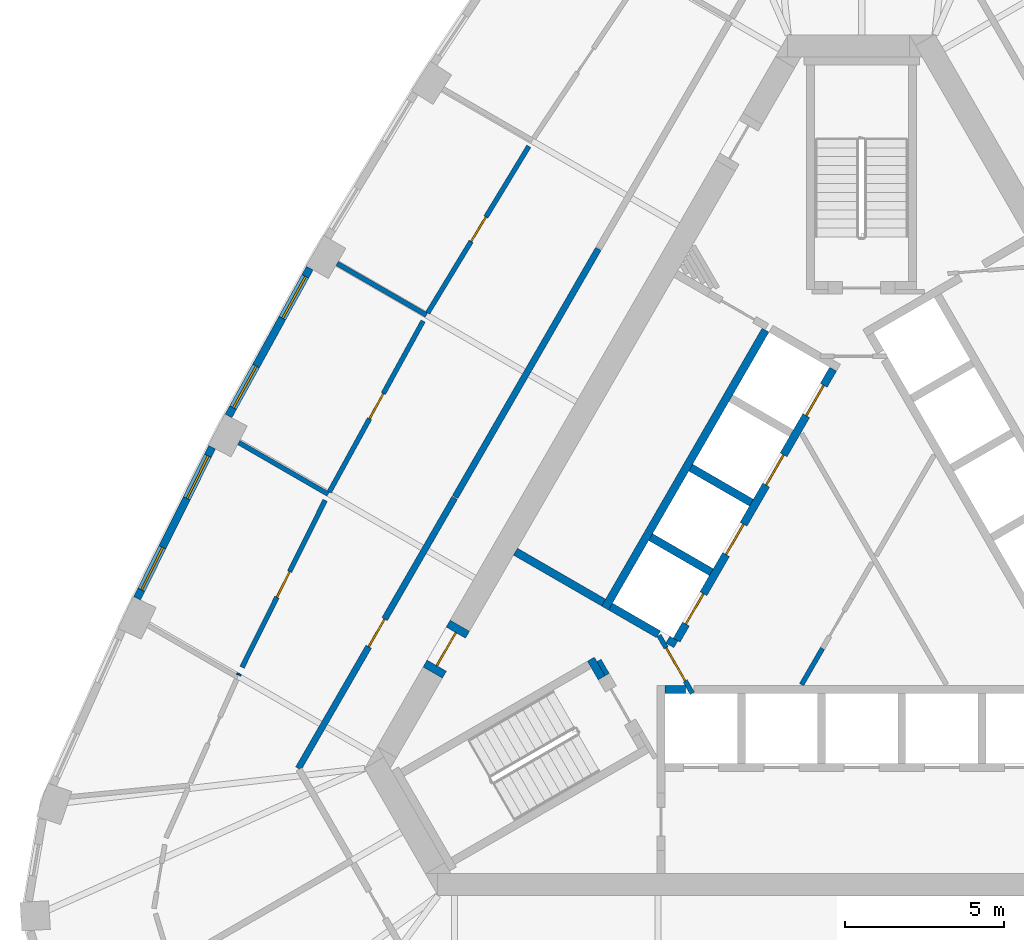
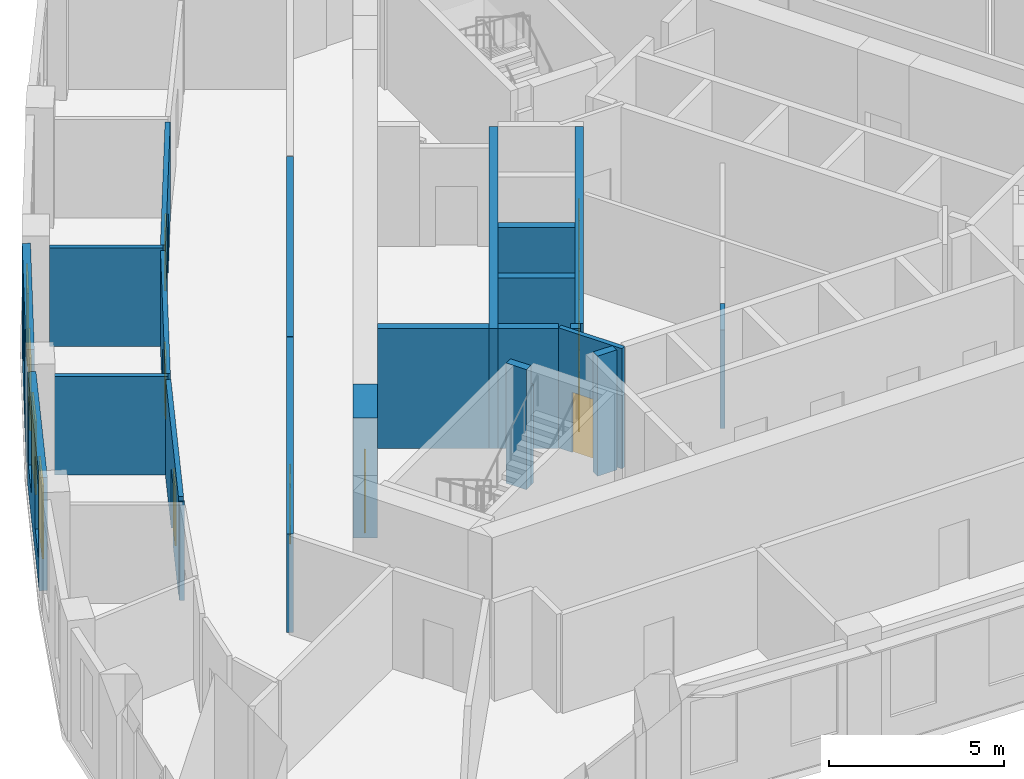
# One storey, part 4 of 11: 23 walls, 10 doors, 4 windows, 14 openings.
"""IFC4 building model written with IfcOpenShell, lengths in metres."""

from ifc_helpers import new_model, si_unit, direction, frame, frame_2d, origin, place, context, subcontext, project, spatial, rectangle, extrude, material, layer, layer_set, type_object, element, fill, save


model = new_model("IFC4")

# Units and contexts
model_context = context("Model", 3, precision=1e-05, world=origin(), true_north=direction((0.0, 1.0)))
body_context = subcontext(model_context, "Body", "Model", "MODEL_VIEW")
ifc_project = project(units=[si_unit("LENGTHUNIT", "METRE"), si_unit("AREAUNIT", "SQUARE_METRE"), si_unit("VOLUMEUNIT", "CUBIC_METRE"), si_unit("PLANEANGLEUNIT", "RADIAN"), si_unit("MASSUNIT", "GRAM", prefix="KILO")], contexts=[model_context])

# Site, building, storey
site_placement = place(None, origin())
site = spatial("IfcSite", under=ifc_project, at=site_placement, CompositionType="ELEMENT")
building_placement = place(site_placement, origin())
building = spatial("IfcBuilding", under=site, at=building_placement, Name="Mestral Congress Tower", CompositionType="ELEMENT")
storey_placement = place(building_placement, frame((0.0, 0.0, 201.60009765625)))
storey = spatial("IfcBuildingStorey", under=building, at=storey_placement, Name="L47", CompositionType="ELEMENT", Elevation=201.60009765625)

# Walls
ifc_material_1 = material(Name="Fire-rated board partition")
ifc_layer_1 = layer(ifc_material_1, 0.14990234375)
ifc_layer_set_1 = layer_set([ifc_layer_1], Name="Fire-rated board partition")
wall_type_1 = type_object("IfcWallType", Name="Core partition 150", PredefinedType="PARTITIONING", material=ifc_layer_set_1)
wall_1_placement = place(storey_placement, frame((-8.251953125, -2.958251953125, 0.0), z_axis=(0.0, 0.0, 1.0), x_axis=(0.500174715838, -0.865924508047, 0.0)))
element("IfcWall", 1, at=wall_1_placement, inside=storey, type_object=wall_type_1, Name="L47 core wall", PredefinedType="PARTITIONING", context=body_context, shape_type="SweptSolid", body=[
    extrude(rectangle(XDim=0.513916015625, YDim=0.14990234375, at=frame_2d((0.2568359375, 0.0))), origin(), (0.0, 0.0, 1.0), 3.449951171875),
])
wall_2_placement = place(storey_placement, frame((-1.886962890625, -3.71826171875, 0.0), z_axis=(0.0, 0.0, 1.0), x_axis=(0.500033191285, 0.866006239939, 0.0)))
element("IfcWall", 2, at=wall_2_placement, inside=storey, type_object=wall_type_1, Name="L47 core wall", PredefinedType="PARTITIONING", context=body_context, shape_type="SweptSolid", body=[
    extrude(rectangle(XDim=1.31494140625, YDim=0.14990234375, at=frame_2d((0.657470703125, 0.0))), origin(), (0.0, 0.0, 1.0), 3.449951171875),
])

# Wall, opening, door
ifc_material_2 = material(Name="Concrete C60/75", Category="concrete")
ifc_layer_2 = layer(ifc_material_2, 0.699951171875)
ifc_layer_set_2 = layer_set([ifc_layer_2], Name="Concrete C60/75")
wall_type_2 = type_object("IfcWallType", Name="Core wall RC 700", PredefinedType="SOLIDWALL", material=ifc_layer_set_2)
wall_3_placement = place(storey_placement, frame((-13.474853515625, -3.339111328125, 0.0), z_axis=(0.0, 0.0, 1.0), x_axis=(0.499954529098, 0.86605165483, 0.0)))
wall_3 = element("IfcWall", 3, at=wall_3_placement, inside=storey, type_object=wall_type_2, Name="L47 door wall", PredefinedType="SOLIDWALL", context=body_context, shape_type="SweptSolid", body=[
    extrude(rectangle(XDim=1.699951171875, YDim=0.699951171875, at=frame_2d((0.85009765625, 0.0))), origin(), (0.0, 0.0, 1.0), 4.199951171875),
])
opening_1_placement = place(wall_3_placement, frame((0.25, 0.0, 0.0)))
opening_1 = element("IfcOpeningElement", 4, at=opening_1_placement, cuts=wall_3, Name="Opening XD3", PredefinedType="OPENING", context=body_context, shape_type="SweptSolid", body=[
    extrude(rectangle(XDim=1.199951171875, YDim=2.10009765625, at=frame_2d((0.60009765625, 1.050048828125))), frame((0.0, 0.35986328125, 0.0), z_axis=(0.0, -1.0, 0.0), x_axis=(1.0, 0.0, 0.0)), (0.0, 0.0, 1.0), 0.719970703125),
])
ifc_material_3 = material(Name="Fire-rated steel door set", Category="steel")
door_type_1 = type_object("IfcDoorType", Name="Core door XD 1200x2100", OperationType="SINGLE_SWING_LEFT", PredefinedType="DOOR", material=ifc_material_3)
door_1_placement = place(opening_1_placement, origin())
door_1 = element("IfcDoor", 5, at=door_1_placement, inside=storey, type_object=door_type_1, Name="Door XD3", OperationType="SINGLE_SWING_LEFT", OverallHeight=2.10009765625, OverallWidth=1.199951171875, PredefinedType="DOOR", context=body_context, shape_type="SweptSolid", body=[
    extrude(rectangle(XDim=1.199951171875, YDim=2.10009765625, at=frame_2d((0.60009765625, 1.050048828125))), frame((0.0, 0.02490234375, 0.0), z_axis=(0.0, -1.0, 0.0), x_axis=(1.0, 0.0, 0.0)), (0.0, 0.0, 1.0), 0.050048828125),
])
fill(opening_1, door_1)

# Wall, openings, windows
ifc_material_4 = material(Name="Precast concrete C40/50 with limestone facing", Category="masonry")
ifc_layer_3 = layer(ifc_material_4, 0.239990234375)
ifc_layer_set_3 = layer_set([ifc_layer_3], Name="Precast concrete C40/50 with limestone facing")
wall_type_3 = type_object("IfcWallType", Name="Facade stone wall 240", PredefinedType="SOLIDWALL", material=ifc_layer_set_3)
wall_4_placement = place(storey_placement, frame((-17.338134765625, 9.367919921875, 0.0), z_axis=(0.0, 0.0, 1.0), x_axis=(-0.481925825015, -0.876212017256, 0.0)))
wall_4 = element("IfcWall", 6, at=wall_4_placement, inside=storey, type_object=wall_type_3, Name="Facade wall F2-03", PredefinedType="SOLIDWALL", context=body_context, shape_type="SweptSolid", body=[
    extrude(rectangle(XDim=5.298583984375, YDim=0.239990234375, at=frame_2d((2.6494140625, 0.0))), origin(), (0.0, 0.0, 1.0), 3.949951171875),
])
opening_2_placement = place(wall_4_placement, frame((0.294677734375, 0.0, 0.89990234375)))
opening_2 = element("IfcOpeningElement", 7, at=opening_2_placement, cuts=wall_4, Name="Opening W4", PredefinedType="OPENING", context=body_context, shape_type="SweptSolid", body=[
    extrude(rectangle(XDim=1.5, YDim=2.550048828125, at=frame_2d((0.75, 1.27490234375))), frame((0.0, 0.1298828125, 0.0), z_axis=(0.0, -1.0, 0.0), x_axis=(1.0, 0.0, 0.0)), (0.0, 0.0, 1.0), 0.260009765625),
])
opening_3_placement = place(wall_4_placement, frame((3.503662109375, 0.0, 0.89990234375)))
opening_3 = element("IfcOpeningElement", 8, at=opening_3_placement, cuts=wall_4, Name="Opening W4", PredefinedType="OPENING", context=body_context, shape_type="SweptSolid", body=[
    extrude(rectangle(XDim=1.5, YDim=2.550048828125, at=frame_2d((0.75, 1.27490234375))), frame((0.0, 0.1298828125, 0.0), z_axis=(0.0, -1.0, 0.0), x_axis=(1.0, 0.0, 0.0)), (0.0, 0.0, 1.0), 0.260009765625),
])
ifc_material_5 = material(Name="Clear low-emissivity double glazing", Category="glass")
window_type = type_object("IfcWindowType", Name="Facade punched window 1500 x 2550 sill 900", PartitioningType="SINGLE_PANEL", PredefinedType="WINDOW", material=ifc_material_5)
window_1_placement = place(opening_2_placement, origin())
window_1 = element("IfcWindow", 9, at=window_1_placement, inside=storey, type_object=window_type, Name="Window F2-03a", OverallHeight=2.550048828125, OverallWidth=1.5, PartitioningType="SINGLE_PANEL", PredefinedType="WINDOW", context=body_context, shape_type="SweptSolid", body=[
    extrude(rectangle(XDim=1.5, YDim=2.550048828125, at=frame_2d((0.75, 1.27490234375))), frame((0.0, 0.0400390625, 0.0), z_axis=(0.0, -1.0, 0.0), x_axis=(1.0, 0.0, 0.0)), (0.0, 0.0, 1.0), 0.06005859375),
])
fill(opening_2, window_1)
window_2_placement = place(opening_3_placement, origin())
window_2 = element("IfcWindow", 10, at=window_2_placement, inside=storey, type_object=window_type, Name="Window F2-03b", OverallHeight=2.550048828125, OverallWidth=1.5, PartitioningType="SINGLE_PANEL", PredefinedType="WINDOW", context=body_context, shape_type="SweptSolid", body=[
    extrude(rectangle(XDim=1.5, YDim=2.550048828125, at=frame_2d((0.75, 1.27490234375))), frame((0.0, 0.0400390625, 0.0), z_axis=(0.0, -1.0, 0.0), x_axis=(1.0, 0.0, 0.0)), (0.0, 0.0, 1.0), 0.06005859375),
])
fill(opening_3, window_2)

wall_5_placement = place(storey_placement, frame((-20.407470703125, 3.739501953125, 0.0), z_axis=(0.0, 0.0, 1.0), x_axis=(-0.445129582031, -0.895466166419, 0.0)))
wall_5 = element("IfcWall", 11, at=wall_5_placement, inside=storey, type_object=wall_type_3, Name="Facade wall F2-04", PredefinedType="SOLIDWALL", context=body_context, shape_type="SweptSolid", body=[
    extrude(rectangle(XDim=5.29833984375, YDim=0.239990234375, at=frame_2d((2.649169921875, 0.0))), origin(), (0.0, 0.0, 1.0), 3.949951171875),
])
opening_4_placement = place(wall_5_placement, frame((0.294677734375, 0.0, 0.89990234375)))
opening_4 = element("IfcOpeningElement", 12, at=opening_4_placement, cuts=wall_5, Name="Opening W4", PredefinedType="OPENING", context=body_context, shape_type="SweptSolid", body=[
    extrude(rectangle(XDim=1.5, YDim=2.550048828125, at=frame_2d((0.75, 1.27490234375))), frame((0.0, 0.1298828125, 0.0), z_axis=(0.0, -1.0, 0.0), x_axis=(1.0, 0.0, 0.0)), (0.0, 0.0, 1.0), 0.260009765625),
])
opening_5_placement = place(wall_5_placement, frame((3.503662109375, 0.0, 0.89990234375)))
opening_5 = element("IfcOpeningElement", 13, at=opening_5_placement, cuts=wall_5, Name="Opening W4", PredefinedType="OPENING", context=body_context, shape_type="SweptSolid", body=[
    extrude(rectangle(XDim=1.5, YDim=2.550048828125, at=frame_2d((0.75, 1.27490234375))), frame((0.0, 0.1298828125, 0.0), z_axis=(0.0, -1.0, 0.0), x_axis=(1.0, 0.0, 0.0)), (0.0, 0.0, 1.0), 0.260009765625),
])
window_3_placement = place(opening_4_placement, origin())
window_3 = element("IfcWindow", 14, at=window_3_placement, inside=storey, type_object=window_type, Name="Window F2-04a", OverallHeight=2.550048828125, OverallWidth=1.5, PartitioningType="SINGLE_PANEL", PredefinedType="WINDOW", context=body_context, shape_type="SweptSolid", body=[
    extrude(rectangle(XDim=1.5, YDim=2.550048828125, at=frame_2d((0.75, 1.27490234375))), frame((0.0, 0.0400390625, 0.0), z_axis=(0.0, -1.0, 0.0), x_axis=(1.0, 0.0, 0.0)), (0.0, 0.0, 1.0), 0.06005859375),
])
fill(opening_4, window_3)
window_4_placement = place(opening_5_placement, origin())
window_4 = element("IfcWindow", 15, at=window_4_placement, inside=storey, type_object=window_type, Name="Window F2-04b", OverallHeight=2.550048828125, OverallWidth=1.5, PartitioningType="SINGLE_PANEL", PredefinedType="WINDOW", context=body_context, shape_type="SweptSolid", body=[
    extrude(rectangle(XDim=1.5, YDim=2.550048828125, at=frame_2d((0.75, 1.27490234375))), frame((0.0, 0.0400390625, 0.0), z_axis=(0.0, -1.0, 0.0), x_axis=(1.0, 0.0, 0.0)), (0.0, 0.0, 1.0), 0.06005859375),
])
fill(opening_5, window_4)

# Wall
ifc_material_6 = material(Name="Plasterboard partition on steel studs", Category="steel")
ifc_layer_4 = layer(ifc_material_6, 0.14990234375)
ifc_layer_set_4 = layer_set([ifc_layer_4], Name="Plasterboard partition on steel studs")
wall_type_4 = type_object("IfcWallType", Name="Office partition 150", PredefinedType="PARTITIONING", material=ifc_layer_set_4)
wall_6_placement = place(storey_placement, frame((-13.67431640625, 7.89501953125, 0.0), z_axis=(0.0, 0.0, 1.0), x_axis=(-0.866032537582, 0.499987643696, 0.0)))
element("IfcWall", 16, at=wall_6_placement, inside=storey, type_object=wall_type_4, Name="Partition", PredefinedType="PARTITIONING", context=body_context, shape_type="SweptSolid", body=[
    extrude(rectangle(XDim=3.24072265625, YDim=0.14990234375, at=frame_2d((1.620361328125, 0.0))), origin(), (0.0, 0.0, 1.0), 3.449951171875),
])

# Wall, opening, door
wall_7_placement = place(storey_placement, frame((-13.635498046875, 7.958984375, 0.0), z_axis=(0.0, 0.0, 1.0), x_axis=(0.518788941184, 0.854902353784, 0.0)))
wall_7 = element("IfcWall", 17, at=wall_7_placement, inside=storey, type_object=wall_type_4, Name="Partition", PredefinedType="PARTITIONING", context=body_context, shape_type="SweptSolid", body=[
    extrude(rectangle(XDim=6.129150390625, YDim=0.14990234375, at=frame_2d((3.064453125, 0.0))), origin(), (0.0, 0.0, 1.0), 3.449951171875),
])
opening_6_placement = place(wall_7_placement, frame((2.62890625, 0.0, 0.0)))
opening_6 = element("IfcOpeningElement", 18, at=opening_6_placement, cuts=wall_7, Name="Opening O06-013", PredefinedType="OPENING", context=body_context, shape_type="SweptSolid", body=[
    extrude(rectangle(XDim=0.89990234375, YDim=2.10009765625, at=frame_2d((0.449951171875, 1.050048828125))), frame((0.0, 0.0849609375, 0.0), z_axis=(0.0, -1.0, 0.0), x_axis=(1.0, 0.0, 0.0)), (0.0, 0.0, 1.0), 0.169921875),
])
ifc_material_7 = material(Name="Timber door set", Category="wood")
door_type_2 = type_object("IfcDoorType", Name="Office door 900x2100", OperationType="SINGLE_SWING_LEFT", PredefinedType="DOOR", material=ifc_material_7)
door_2_placement = place(opening_6_placement, origin())
door_2 = element("IfcDoor", 19, at=door_2_placement, inside=storey, type_object=door_type_2, Name="Door O06-013", OperationType="SINGLE_SWING_RIGHT", OverallHeight=2.10009765625, OverallWidth=0.89990234375, PredefinedType="DOOR", context=body_context, shape_type="SweptSolid", body=[
    extrude(rectangle(XDim=0.89990234375, YDim=2.10009765625, at=frame_2d((0.449951171875, 1.050048828125))), frame((0.0, 0.02490234375, 0.0), z_axis=(0.0, -1.0, 0.0), x_axis=(1.0, 0.0, 0.0)), (0.0, 0.0, 1.0), 0.050048828125),
])
fill(opening_6, door_2)

# Wall
wall_8_placement = place(storey_placement, frame((-16.761474609375, 2.267578125, 0.0), z_axis=(0.0, 0.0, 1.0), x_axis=(-0.866022812202, 0.500004488726, 0.0)))
element("IfcWall", 20, at=wall_8_placement, inside=storey, type_object=wall_type_4, Name="Partition", PredefinedType="PARTITIONING", context=body_context, shape_type="SweptSolid", body=[
    extrude(rectangle(XDim=3.2470703125, YDim=0.14990234375, at=frame_2d((1.62353515625, 0.0))), origin(), (0.0, 0.0, 1.0), 3.449951171875),
])

# Wall, opening, door
wall_9_placement = place(storey_placement, frame((-16.725341796875, 2.33349609375, 0.0), z_axis=(0.0, 0.0, 1.0), x_axis=(0.480955103875, 0.876745224142, 0.0)))
wall_9 = element("IfcWall", 21, at=wall_9_placement, inside=storey, type_object=wall_type_4, Name="Partition", PredefinedType="PARTITIONING", context=body_context, shape_type="SweptSolid", body=[
    extrude(rectangle(XDim=6.12890625, YDim=0.14990234375, at=frame_2d((3.064453125, 0.0))), origin(), (0.0, 0.0, 1.0), 3.449951171875),
])
opening_7_placement = place(wall_9_placement, frame((2.629150390625, 0.0, 0.0)))
opening_7 = element("IfcOpeningElement", 22, at=opening_7_placement, cuts=wall_9, Name="Opening O06-014", PredefinedType="OPENING", context=body_context, shape_type="SweptSolid", body=[
    extrude(rectangle(XDim=0.89990234375, YDim=2.10009765625, at=frame_2d((0.449951171875, 1.050048828125))), frame((0.0, 0.0849609375, 0.0), z_axis=(0.0, -1.0, 0.0), x_axis=(1.0, 0.0, 0.0)), (0.0, 0.0, 1.0), 0.169921875),
])
door_3_placement = place(opening_7_placement, origin())
door_3 = element("IfcDoor", 23, at=door_3_placement, inside=storey, type_object=door_type_2, Name="Door O06-014", OperationType="SINGLE_SWING_RIGHT", OverallHeight=2.10009765625, OverallWidth=0.89990234375, PredefinedType="DOOR", context=body_context, shape_type="SweptSolid", body=[
    extrude(rectangle(XDim=0.89990234375, YDim=2.10009765625, at=frame_2d((0.449951171875, 1.050048828125))), frame((0.0, 0.02490234375, 0.0), z_axis=(0.0, -1.0, 0.0), x_axis=(1.0, 0.0, 0.0)), (0.0, 0.0, 1.0), 0.050048828125),
])
fill(opening_7, door_3)

wall_10_placement = place(storey_placement, frame((-19.46728515625, -3.17529296875, 0.0), z_axis=(0.0, 0.0, 1.0), x_axis=(0.445180755526, 0.895440726631, 0.0)))
wall_10 = element("IfcWall", 24, at=wall_10_placement, inside=storey, type_object=wall_type_4, Name="Partition", PredefinedType="PARTITIONING", context=body_context, shape_type="SweptSolid", body=[
    extrude(rectangle(XDim=5.864013671875, YDim=0.14990234375, at=frame_2d((2.93212890625, 0.0))), origin(), (0.0, 0.0, 1.0), 3.449951171875),
])
opening_8_placement = place(wall_10_placement, frame((2.464111328125, 0.0, 0.0)))
opening_8 = element("IfcOpeningElement", 25, at=opening_8_placement, cuts=wall_10, Name="Opening O06-015", PredefinedType="OPENING", context=body_context, shape_type="SweptSolid", body=[
    extrude(rectangle(XDim=0.89990234375, YDim=2.10009765625, at=frame_2d((0.449951171875, 1.050048828125))), frame((0.0, 0.0849609375, 0.0), z_axis=(0.0, -1.0, 0.0), x_axis=(1.0, 0.0, 0.0)), (0.0, 0.0, 1.0), 0.169921875),
])
door_4_placement = place(opening_8_placement, origin())
door_4 = element("IfcDoor", 26, at=door_4_placement, inside=storey, type_object=door_type_2, Name="Door O06-015", OperationType="SINGLE_SWING_LEFT", OverallHeight=2.10009765625, OverallWidth=0.89990234375, PredefinedType="DOOR", context=body_context, shape_type="SweptSolid", body=[
    extrude(rectangle(XDim=0.89990234375, YDim=2.10009765625, at=frame_2d((0.449951171875, 1.050048828125))), frame((0.0, 0.02490234375, 0.0), z_axis=(0.0, -1.0, 0.0), x_axis=(1.0, 0.0, 0.0)), (0.0, 0.0, 1.0), 0.050048828125),
])
fill(opening_8, door_4)

# Walls
wall_11_placement = place(storey_placement, frame((-19.554443359375, -3.370849609375, 0.0), z_axis=(0.0, 0.0, 1.0), x_axis=(-0.408782924594, -0.912631645605, 0.0)))
element("IfcWall", 27, at=wall_11_placement, inside=storey, type_object=wall_type_4, Name="Partition", PredefinedType="PARTITIONING", context=body_context, shape_type="SweptSolid", body=[
    extrude(rectangle(XDim=0.05126953125, YDim=0.14990234375, at=frame_2d((0.025634765625, 0.0))), origin(), (0.0, 0.0, 1.0), 3.449951171875),
])
ifc_material_8 = material(Name="Dense masonry wall, plastered", Category="masonry")
ifc_layer_5 = layer(ifc_material_8, 0.199951171875)
ifc_layer_set_5 = layer_set([ifc_layer_5], Name="Dense masonry wall, plastered")
wall_type_5 = type_object("IfcWallType", Name="Office tenancy wall 200", PredefinedType="PARTITIONING", material=ifc_layer_set_5)
wall_12_placement = place(storey_placement, frame((-8.272216796875, 9.97216796875, 0.0), z_axis=(0.0, 0.0, 1.0), x_axis=(-0.5000018851, -0.866024315419, 0.0)))
element("IfcWall", 28, at=wall_12_placement, inside=storey, type_object=wall_type_5, Name="Tenancy wall", PredefinedType="PARTITIONING", context=body_context, shape_type="SweptSolid", body=[
    extrude(rectangle(XDim=9.0, YDim=0.199951171875, at=frame_2d((4.5, 0.0))), origin(), (0.0, 0.0, 1.0), 3.449951171875),
])

# Wall, opening, door
wall_13_placement = place(storey_placement, frame((-12.787109375, 2.15185546875, 0.0), z_axis=(0.0, 0.0, 1.0), x_axis=(-0.50000660679, -0.866021589319, 0.0)))
wall_13 = element("IfcWall", 29, at=wall_13_placement, inside=storey, type_object=wall_type_5, Name="Tenancy wall", PredefinedType="PARTITIONING", context=body_context, shape_type="SweptSolid", body=[
    extrude(rectangle(XDim=9.817138671875, YDim=0.199951171875, at=frame_2d((4.90869140625, 0.0))), origin(), (0.0, 0.0, 1.0), 3.449951171875),
])
opening_9_placement = place(wall_13_placement, frame((4.39990234375, 0.0, 0.0)))
opening_9 = element("IfcOpeningElement", 30, at=opening_9_placement, cuts=wall_13, Name="Opening O06-018", PredefinedType="OPENING", context=body_context, shape_type="SweptSolid", body=[
    extrude(rectangle(XDim=1.0, YDim=2.10009765625, at=frame_2d((0.5, 1.050048828125))), frame((0.0, 0.10986328125, 0.0), z_axis=(0.0, -1.0, 0.0), x_axis=(1.0, 0.0, 0.0)), (0.0, 0.0, 1.0), 0.219970703125),
])
ifc_material_9 = material(Name="Fire-rated timber door set", Category="wood")
door_type_3 = type_object("IfcDoorType", Name="Office tenancy entrance door 1000x2100", OperationType="SINGLE_SWING_LEFT", PredefinedType="DOOR", material=ifc_material_9)
door_5_placement = place(opening_9_placement, origin())
door_5 = element("IfcDoor", 31, at=door_5_placement, inside=storey, type_object=door_type_3, Name="Door O06-018", OperationType="SINGLE_SWING_LEFT", OverallHeight=2.10009765625, OverallWidth=1.0, PredefinedType="DOOR", context=body_context, shape_type="SweptSolid", body=[
    extrude(rectangle(XDim=1.0, YDim=2.10009765625, at=frame_2d((0.5, 1.050048828125))), frame((0.0, 0.02490234375, 0.0), z_axis=(0.0, -1.0, 0.0), x_axis=(1.0, 0.0, 0.0)), (0.0, 0.0, 1.0), 0.050048828125),
])
fill(opening_9, door_5)

# Walls
ifc_layer_6 = layer(ifc_material_2, 0.25)
ifc_layer_set_6 = layer_set([ifc_layer_6], Name="Concrete C60/75")
wall_type_6 = type_object("IfcWallType", Name="Shaft wall RC 250", PredefinedType="SOLIDWALL", material=ifc_layer_set_6)
wall_14_placement = place(storey_placement, frame((-6.175048828125, -3.875, 0.0), z_axis=(0.0, 0.0, 1.0), x_axis=(1.0, 0.0, 0.0)))
element("IfcWall", 32, at=wall_14_placement, inside=storey, type_object=wall_type_6, Name="L47 core wall", PredefinedType="SOLIDWALL", context=body_context, shape_type="SweptSolid", body=[
    extrude(rectangle(XDim=0.63671875, YDim=0.25, at=frame_2d((0.318359375, 0.0))), origin(), (0.0, 0.0, 1.0), 4.199951171875),
])
wall_15_placement = place(storey_placement, frame((-3.02001953125, 7.4189453125, 0.0), z_axis=(0.0, 0.0, 1.0), x_axis=(-0.500022956343, -0.866012149528, 0.0)))
element("IfcWall", 33, at=wall_15_placement, inside=storey, type_object=wall_type_6, Name="L47 core wall", PredefinedType="SOLIDWALL", context=body_context, shape_type="SweptSolid", body=[
    extrude(rectangle(XDim=10.080078125, YDim=0.25, at=frame_2d((5.0400390625, 0.0))), origin(), (0.0, 0.0, 1.0), 4.199951171875),
])
for number, where, z_axis, x_axis, name in (
    (34, (-5.369384765625, 3.10009765625, 0.0), (0.0, 0.0, 1.0), (0.866008176907, -0.50002983664, 0.0), "L47 core wall"),
    (35, (-4.72412109375, -0.182373046875, 0.0), (0.0, 0.0, 1.0), (-0.866008176907, 0.50002983664, 0.0), "L47 core wall"),
):
    element("IfcWall", number, at=place(storey_placement, frame(where, z_axis=z_axis, x_axis=x_axis)), inside=storey, type_object=wall_type_6, Name=name, PredefinedType="SOLIDWALL", context=body_context, shape_type="SweptSolid", body=[
        extrude(rectangle(XDim=2.199951171875, YDim=0.25, at=frame_2d((1.10009765625, 0.0))), origin(), (0.0, 0.0, 1.0), 4.199951171875),
    ])
wall_16_placement = place(storey_placement, frame((-6.088134765625, -2.3046875, 0.0), z_axis=(0.0, 0.0, 1.0), x_axis=(0.866059450854, -0.499941024108, 0.0)))
element("IfcWall", 36, at=wall_16_placement, inside=storey, type_object=wall_type_6, Name="L47 core wall", PredefinedType="SOLIDWALL", context=body_context, shape_type="SweptSolid", body=[
    extrude(rectangle(XDim=0.2900390625, YDim=0.25, at=frame_2d((0.14501953125, 0.0))), origin(), (0.0, 0.0, 1.0), 4.199951171875),
])
wall_17_placement = place(storey_placement, frame((-7.889404296875, -1.2646484375, 0.0), z_axis=(0.0, 0.0, 1.0), x_axis=(0.865986741702, -0.500066958712, 0.0)))
element("IfcWall", 37, at=wall_17_placement, inside=storey, type_object=wall_type_6, Name="L47 core wall", PredefinedType="SOLIDWALL", context=body_context, shape_type="SweptSolid", body=[
    extrude(rectangle(XDim=1.738037109375, YDim=0.25, at=frame_2d((0.869140625, 0.0))), origin(), (0.0, 0.0, 1.0), 4.199951171875),
])
wall_18_placement = place(storey_placement, frame((-8.10595703125, -1.139892578125, 0.0), z_axis=(0.0, 0.0, 1.0), x_axis=(-0.866008981251, 0.500028443584, 0.0)))
element("IfcWall", 38, at=wall_18_placement, inside=storey, type_object=wall_type_6, Name="L47 core wall", PredefinedType="SOLIDWALL", context=body_context, shape_type="SweptSolid", body=[
    extrude(rectangle(XDim=3.199951171875, YDim=0.25, at=frame_2d((1.60009765625, 0.0))), origin(), (0.0, 0.0, 1.0), 4.199951171875),
])

# Wall, openings, doors
wall_19_placement = place(storey_placement, frame((-0.898193359375, 6.194091796875, 0.0), z_axis=(0.0, 0.0, 1.0), x_axis=(-0.499996202215, -0.866027596426, 0.0)))
wall_19 = element("IfcWall", 39, at=wall_19_placement, inside=storey, type_object=wall_type_6, Name="L47 door wall", PredefinedType="SOLIDWALL", context=body_context, shape_type="SweptSolid", body=[
    extrude(rectangle(XDim=9.830078125, YDim=0.25, at=frame_2d((4.9150390625, 0.0))), origin(), (0.0, 0.0, 1.0), 4.199951171875),
])
opening_10_placement = place(wall_19_placement, frame((0.5849609375, 0.0, 0.0)))
opening_10 = element("IfcOpeningElement", 40, at=opening_10_placement, cuts=wall_19, Name="Opening LD-NWB1", PredefinedType="OPENING", context=body_context, shape_type="SweptSolid", body=[
    extrude(rectangle(XDim=1.10009765625, YDim=2.10009765625, at=frame_2d((0.550048828125, 1.050048828125))), frame((0.0, 0.135009765625, 0.0), z_axis=(0.0, -1.0, 0.0), x_axis=(1.0, 0.0, 0.0)), (0.0, 0.0, 1.0), 0.27001953125),
])
opening_11_placement = place(wall_19_placement, frame((3.10498046875, 0.0, 0.0)))
opening_11 = element("IfcOpeningElement", 41, at=opening_11_placement, cuts=wall_19, Name="Opening LD-NWB2", PredefinedType="OPENING", context=body_context, shape_type="SweptSolid", body=[
    extrude(rectangle(XDim=1.10009765625, YDim=2.10009765625, at=frame_2d((0.550048828125, 1.050048828125))), frame((0.0, 0.135009765625, 0.0), z_axis=(0.0, -1.0, 0.0), x_axis=(1.0, 0.0, 0.0)), (0.0, 0.0, 1.0), 0.27001953125),
])
opening_12_placement = place(wall_19_placement, frame((5.625, 0.0, 0.0)))
opening_12 = element("IfcOpeningElement", 42, at=opening_12_placement, cuts=wall_19, Name="Opening LD-NWB3", PredefinedType="OPENING", context=body_context, shape_type="SweptSolid", body=[
    extrude(rectangle(XDim=1.10009765625, YDim=2.10009765625, at=frame_2d((0.550048828125, 1.050048828125))), frame((0.0, 0.135009765625, 0.0), z_axis=(0.0, -1.0, 0.0), x_axis=(1.0, 0.0, 0.0)), (0.0, 0.0, 1.0), 0.27001953125),
])
opening_13_placement = place(wall_19_placement, frame((8.14501953125, 0.0, 0.0)))
opening_13 = element("IfcOpeningElement", 43, at=opening_13_placement, cuts=wall_19, Name="Opening LD-NWB4", PredefinedType="OPENING", context=body_context, shape_type="SweptSolid", body=[
    extrude(rectangle(XDim=1.10009765625, YDim=2.10009765625, at=frame_2d((0.550048828125, 1.050048828125))), frame((0.0, 0.135009765625, 0.0), z_axis=(0.0, -1.0, 0.0), x_axis=(1.0, 0.0, 0.0)), (0.0, 0.0, 1.0), 0.27001953125),
])
door_type_4 = type_object("IfcDoorType", Name="Core door LD 1100x2100", OperationType="DOUBLE_DOOR_SLIDING", PredefinedType="DOOR", material=ifc_material_3)
door_6_placement = place(opening_10_placement, origin())
door_6 = element("IfcDoor", 44, at=door_6_placement, inside=storey, type_object=door_type_4, Name="Door LD-NWB1", OperationType="DOUBLE_DOOR_SLIDING", OverallHeight=2.10009765625, OverallWidth=1.10009765625, PredefinedType="DOOR", context=body_context, shape_type="SweptSolid", body=[
    extrude(rectangle(XDim=1.10009765625, YDim=2.10009765625, at=frame_2d((0.550048828125, 1.050048828125))), frame((0.0, 0.02490234375, 0.0), z_axis=(0.0, -1.0, 0.0), x_axis=(1.0, 0.0, 0.0)), (0.0, 0.0, 1.0), 0.050048828125),
])
fill(opening_10, door_6)
door_7_placement = place(opening_11_placement, origin())
door_7 = element("IfcDoor", 45, at=door_7_placement, inside=storey, type_object=door_type_4, Name="Door LD-NWB2", OperationType="DOUBLE_DOOR_SLIDING", OverallHeight=2.10009765625, OverallWidth=1.10009765625, PredefinedType="DOOR", context=body_context, shape_type="SweptSolid", body=[
    extrude(rectangle(XDim=1.10009765625, YDim=2.10009765625, at=frame_2d((0.550048828125, 1.050048828125))), frame((0.0, 0.02490234375, 0.0), z_axis=(0.0, -1.0, 0.0), x_axis=(1.0, 0.0, 0.0)), (0.0, 0.0, 1.0), 0.050048828125),
])
fill(opening_11, door_7)
door_8_placement = place(opening_12_placement, origin())
door_8 = element("IfcDoor", 46, at=door_8_placement, inside=storey, type_object=door_type_4, Name="Door LD-NWB3", OperationType="DOUBLE_DOOR_SLIDING", OverallHeight=2.10009765625, OverallWidth=1.10009765625, PredefinedType="DOOR", context=body_context, shape_type="SweptSolid", body=[
    extrude(rectangle(XDim=1.10009765625, YDim=2.10009765625, at=frame_2d((0.550048828125, 1.050048828125))), frame((0.0, 0.02490234375, 0.0), z_axis=(0.0, -1.0, 0.0), x_axis=(1.0, 0.0, 0.0)), (0.0, 0.0, 1.0), 0.050048828125),
])
fill(opening_12, door_8)
door_9_placement = place(opening_13_placement, origin())
door_9 = element("IfcDoor", 47, at=door_9_placement, inside=storey, type_object=door_type_4, Name="Door LD-NWB4", OperationType="DOUBLE_DOOR_SLIDING", OverallHeight=2.10009765625, OverallWidth=1.10009765625, PredefinedType="DOOR", context=body_context, shape_type="SweptSolid", body=[
    extrude(rectangle(XDim=1.10009765625, YDim=2.10009765625, at=frame_2d((0.550048828125, 1.050048828125))), frame((0.0, 0.02490234375, 0.0), z_axis=(0.0, -1.0, 0.0), x_axis=(1.0, 0.0, 0.0)), (0.0, 0.0, 1.0), 0.050048828125),
])
fill(opening_13, door_9)

# Wall, opening, door
ifc_layer_7 = layer(ifc_material_2, 0.14990234375)
ifc_layer_set_7 = layer_set([ifc_layer_7], Name="Concrete C60/75")
wall_type_7 = type_object("IfcWallType", Name="Shaft wall RC 250 door-wall 150", PredefinedType="SOLIDWALL", material=ifc_layer_set_7)
wall_20_placement = place(storey_placement, frame((-5.3173828125, -3.98974609375, 0.0), z_axis=(0.0, 0.0, 1.0), x_axis=(-0.500027713859, 0.866009402589, 0.0)))
wall_20 = element("IfcWall", 48, at=wall_20_placement, inside=storey, type_object=wall_type_7, Name="L47 door wall", PredefinedType="PARTITIONING", context=body_context, shape_type="SweptSolid", body=[
    extrude(rectangle(XDim=2.10009765625, YDim=0.14990234375, at=frame_2d((1.050048828125, 0.0))), origin(), (0.0, 0.0, 1.0), 4.199951171875),
])
opening_14_placement = place(wall_20_placement, frame((0.449951171875, 0.0, 0.0)))
opening_14 = element("IfcOpeningElement", 49, at=opening_14_placement, cuts=wall_20, Name="Opening CD3-FF", PredefinedType="OPENING", context=body_context, shape_type="SweptSolid", body=[
    extrude(rectangle(XDim=1.199951171875, YDim=2.10009765625, at=frame_2d((0.60009765625, 1.050048828125))), frame((0.0, 0.0849609375, 0.0), z_axis=(0.0, -1.0, 0.0), x_axis=(1.0, 0.0, 0.0)), (0.0, 0.0, 1.0), 0.169921875),
])
door_type_5 = type_object("IfcDoorType", Name="Core door CD 1200x2100", OperationType="SINGLE_SWING_LEFT", PredefinedType="DOOR", material=ifc_material_3)
door_10_placement = place(opening_14_placement, origin())
door_10 = element("IfcDoor", 50, at=door_10_placement, inside=storey, type_object=door_type_5, Name="Door CD3-FF", OperationType="SINGLE_SWING_LEFT", OverallHeight=2.10009765625, OverallWidth=1.199951171875, PredefinedType="DOOR", context=body_context, shape_type="SweptSolid", body=[
    extrude(rectangle(XDim=1.199951171875, YDim=2.10009765625, at=frame_2d((0.60009765625, 1.050048828125))), frame((0.0, 0.02490234375, 0.0), z_axis=(0.0, -1.0, 0.0), x_axis=(1.0, 0.0, 0.0)), (0.0, 0.0, 1.0), 0.050048828125),
])
fill(opening_14, door_10)

# Wall
ifc_layer_8 = layer(ifc_material_2, 0.25)
ifc_layer_set_8 = layer_set([ifc_layer_8], Name="Concrete C60/75")
wall_type_8 = type_object("IfcWallType", Name="Stair wall RC 250", PredefinedType="SOLIDWALL", material=ifc_layer_set_8)
wall_21_placement = place(storey_placement, frame((-8.167724609375, -3.503173828125, 0.0), z_axis=(0.0, 0.0, 1.0), x_axis=(-0.499952099219, 0.866053057547, 0.0)))
element("IfcWall", 51, at=wall_21_placement, inside=storey, type_object=wall_type_8, Name="L47 core wall", PredefinedType="SOLIDWALL", context=body_context, shape_type="SweptSolid", body=[
    extrude(rectangle(XDim=0.6748046875, YDim=0.25, at=frame_2d((0.33740234375, 0.0))), origin(), (0.0, 0.0, 1.0), 4.199951171875),
])

save(model, "model.ifc")
